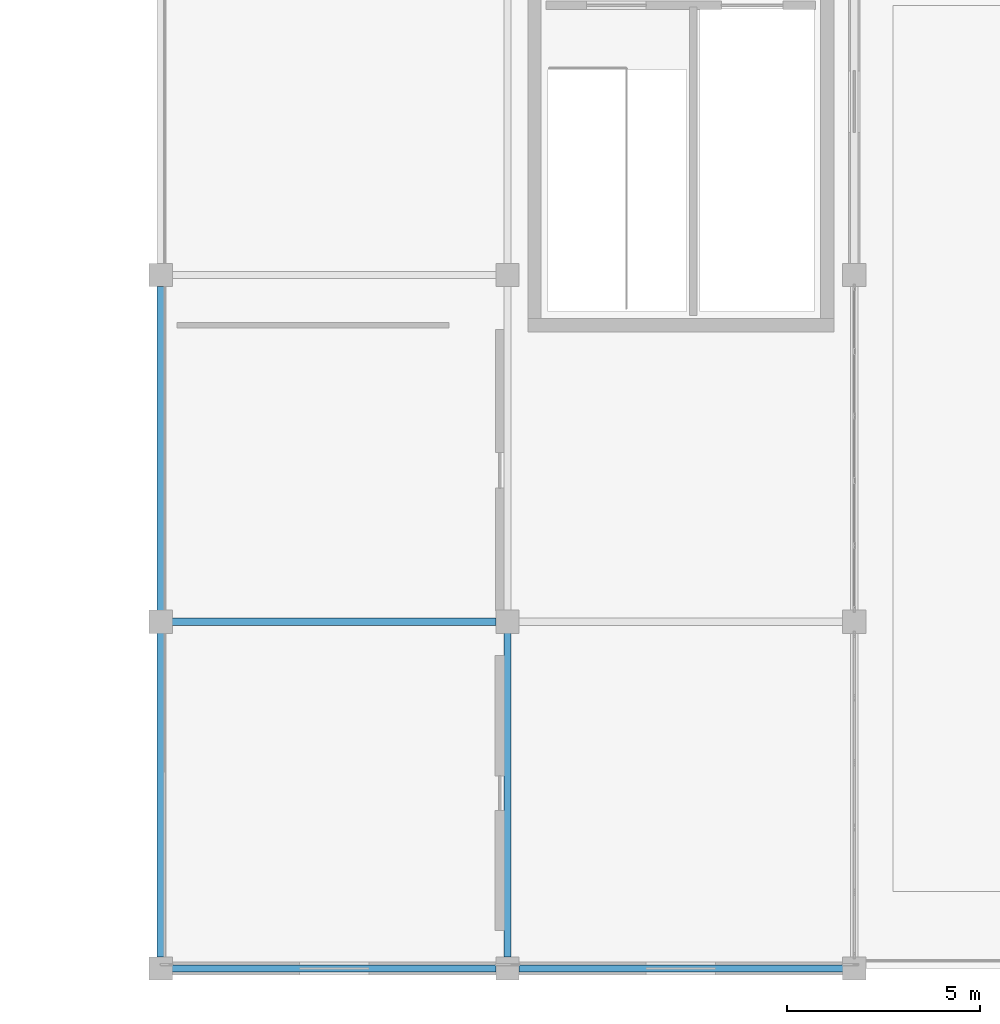
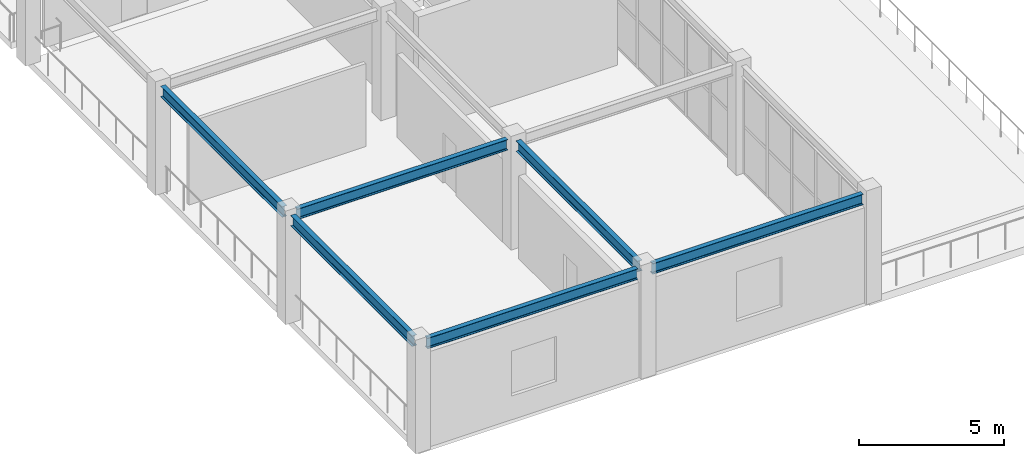
# One storey, part 82 of 167: 6 beams.
"""IFC4 building model written with IfcOpenShell, lengths in metres."""

from ifc_helpers import new_model, si_unit, direction, frame, origin, origin_2d, place, context, subcontext, project, spatial, i_section, extrude, material, material_profile, profile_set, type_object, element, save


model = new_model("IFC4")

# Units and contexts
model_context = context("Model", 3, precision=1e-05, world=origin(), true_north=direction((0.0, 1.0)))
body_context = subcontext(model_context, "Body", "Model", "MODEL_VIEW")
ifc_project = project(units=[si_unit("LENGTHUNIT", "METRE"), si_unit("AREAUNIT", "SQUARE_METRE"), si_unit("VOLUMEUNIT", "CUBIC_METRE"), si_unit("PLANEANGLEUNIT", "RADIAN"), si_unit("MASSUNIT", "GRAM", prefix="KILO")], contexts=[model_context])

# Site, building, storey
site_placement = place(None, origin())
site = spatial("IfcSite", under=ifc_project, at=site_placement, CompositionType="ELEMENT")
building_placement = place(site_placement, origin())
building = spatial("IfcBuilding", under=site, at=building_placement, Name="Dornveld Trade and Exhibition Forum", CompositionType="ELEMENT")
storey_placement = place(building_placement, frame((0.0, 0.0, 16.800048828125)))
storey = spatial("IfcBuildingStorey", under=building, at=storey_placement, Name="L03", CompositionType="ELEMENT", Elevation=16.800048828125)

# Beams
ifc_material = material(Name="Steel S355J2", Category="steel")
ifc_material_profile = material_profile(ifc_material, i_section(OverallWidth=0.18994140625, OverallDepth=0.449951171875, WebThickness=0.009521484375, FlangeThickness=0.0146484375, FilletRadius=0.02099609375, at=origin_2d()), Name="IPE 450")
ifc_profile_set = profile_set([ifc_material_profile], Name="Steel S355J2")
beam_type = type_object("IfcBeamType", Name="BM-SEC-450", PredefinedType="BEAM", material=ifc_profile_set)
for number, where, z_axis, x_axis, name in (
    (1, (198.2958984375, 0.0, 4.324951171875), (1.0, 0.0, 0.0), (0.0, 1.0, 0.0), "L03 X-girder 1605"),
    (2, (207.2958984375, 0.0, 4.324951171875), (1.0, 0.0, 0.0), (0.0, 1.0, 0.0), "L03 X-girder 1606"),
    (3, (198.2958984375, 9.0, 4.324951171875), (1.0, 0.0, 0.0), (0.0, 1.0, 0.0), "L03 X-girder 1607"),
    (4, (198.0, 0.2958984375, 4.324951171875), (0.0, 1.0, 0.0), (-1.0, 0.0, 0.0), "L03 Y-girder 1617"),
    (5, (198.0, 9.2958984375, 4.324951171875), (0.0, 1.0, 0.0), (-1.0, 0.0, 0.0), "L03 Y-girder 1618"),
    (6, (207.0, 0.2958984375, 4.324951171875), (0.0, 1.0, 0.0), (-1.0, 0.0, 0.0), "L03 Y-girder 1623"),
):
    element("IfcBeam", number, at=place(storey_placement, frame(where, z_axis=z_axis, x_axis=x_axis)), inside=storey, type_object=beam_type, Name=name, PredefinedType="BEAM", context=body_context, shape_type="SweptSolid", body=[
        extrude(i_section(OverallWidth=0.18994140625, OverallDepth=0.449951171875, WebThickness=0.009521484375, FlangeThickness=0.0146484375, FilletRadius=0.02099609375, at=origin_2d()), origin(), (0.0, 0.0, 1.0), 8.408203125),
    ])

save(model, "model.ifc")
